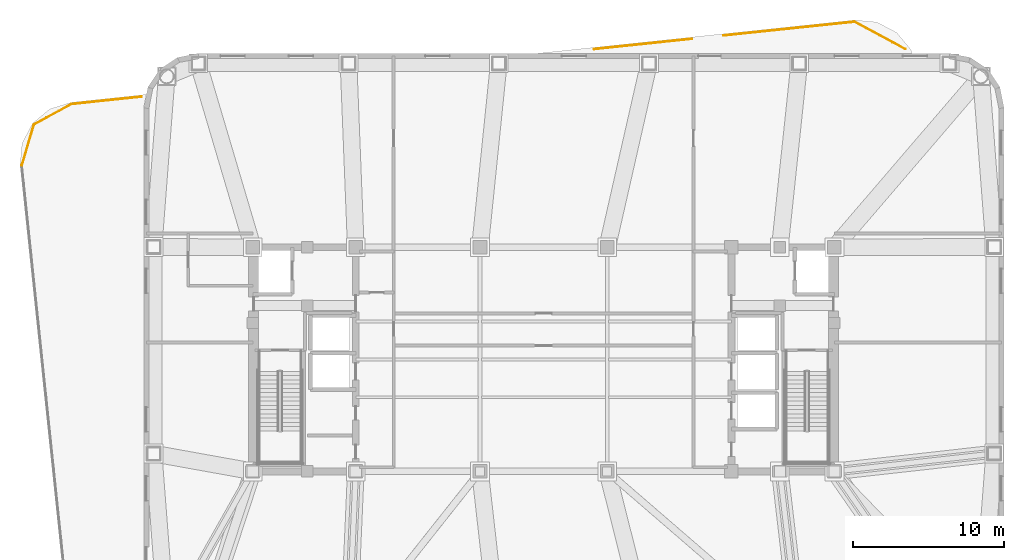
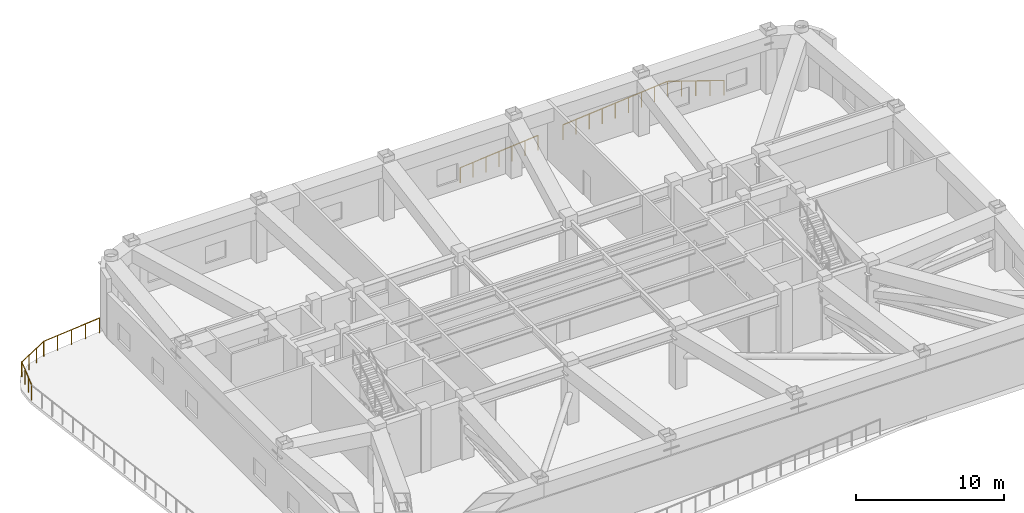
# One storey, part 10 of 10: 6 railings.
"""IFC4 building model written with IfcOpenShell, lengths in metres."""

from ifc_helpers import new_model, si_unit, direction, frame, origin, origin_2d, place, context, subcontext, project, spatial, circle, extrude, material, type_object, element, save


model = new_model("IFC4")

# Units and contexts
model_context = context("Model", 3, precision=1e-05, world=origin(), true_north=direction((0.0, 1.0)))
body_context = subcontext(model_context, "Body", "Model", "MODEL_VIEW")
ifc_project = project(units=[si_unit("LENGTHUNIT", "METRE"), si_unit("AREAUNIT", "SQUARE_METRE"), si_unit("VOLUMEUNIT", "CUBIC_METRE"), si_unit("PLANEANGLEUNIT", "RADIAN"), si_unit("MASSUNIT", "GRAM", prefix="KILO")], contexts=[model_context])

# Site, building, storey
site_placement = place(None, origin())
site = spatial("IfcSite", under=ifc_project, at=site_placement, CompositionType="ELEMENT")
building_placement = place(site_placement, origin())
building = spatial("IfcBuilding", under=site, at=building_placement, Name="Voryun Gate Residences", CompositionType="ELEMENT")
storey_placement = place(building_placement, frame((0.0, 0.0, 195.0)))
storey = spatial("IfcBuildingStorey", under=building, at=storey_placement, Name="L48", CompositionType="ELEMENT", Elevation=195.0)

# Railings
ifc_material = material(Name="Anodised aluminium", Category="aluminium")
railing_type = type_object("IfcRailingType", Name="RAIL_TERRACE_GUARD_1250", PredefinedType="GUARDRAIL", material=ifc_material)
railing_1_placement = place(storey_placement, frame((20.52587890625, 22.285400390625, 0.0)))
element("IfcRailing", 1, at=railing_1_placement, inside=storey, type_object=railing_type, Name="Terrace guard RL-L48-P1L1-01", PredefinedType="GUARDRAIL", context=body_context, shape_type="SweptSolid", body=[
    extrude(circle(Radius=0.02392578125, at=origin_2d()), frame((0.0, 0.0, 1.22607421875), z_axis=(0.88076497206, -0.473553654819, 0.0), x_axis=(0.473553654819, 0.88076497206, 0.0)), (0.0, 0.0, 1.0), 3.8125),
    extrude(circle(Radius=0.02099609375, at=origin_2d()), origin(), (0.0, 0.0, 1.0), 1.201904296875),
    extrude(circle(Radius=0.02099609375, at=origin_2d()), frame((0.83935546875, -0.451416015625, 0.0)), (0.0, 0.0, 1.0), 1.201904296875),
    extrude(circle(Radius=0.02099609375, at=origin_2d()), frame((1.678955078125, -0.90283203125, 0.0)), (0.0, 0.0, 1.0), 1.201904296875),
    extrude(circle(Radius=0.02099609375, at=origin_2d()), frame((2.5185546875, -1.35400390625, 0.0)), (0.0, 0.0, 1.0), 1.201904296875),
    extrude(circle(Radius=0.02099609375, at=origin_2d()), frame((3.35791015625, -1.805419921875, 0.0)), (0.0, 0.0, 1.0), 1.201904296875),
])
railing_2_placement = place(storey_placement, frame((3.3486328125, 20.47998046875, 0.0)))
element("IfcRailing", 2, at=railing_2_placement, inside=storey, type_object=railing_type, Name="Terrace guard RL-L48-P1L2-01", PredefinedType="GUARDRAIL", context=body_context, shape_type="SweptSolid", body=[
    extrude(circle(Radius=0.02392578125, at=origin_2d()), frame((0.0, 0.0, 1.22607421875), z_axis=(0.994522382225, 0.104523831034, 0.0), x_axis=(-0.104523831034, 0.994522382225, 0.0)), (0.0, 0.0, 1.0), 6.474609375),
    extrude(circle(Radius=0.02099609375, at=origin_2d()), origin(), (0.0, 0.0, 1.0), 1.201904296875),
    extrude(circle(Radius=0.02099609375, at=origin_2d()), frame((1.0732421875, 0.11279296875, 0.0)), (0.0, 0.0, 1.0), 1.201904296875),
    extrude(circle(Radius=0.02099609375, at=origin_2d()), frame((2.146484375, 0.2255859375, 0.0)), (0.0, 0.0, 1.0), 1.201904296875),
    extrude(circle(Radius=0.02099609375, at=origin_2d()), frame((3.2197265625, 0.33837890625, 0.0)), (0.0, 0.0, 1.0), 1.201904296875),
    extrude(circle(Radius=0.02099609375, at=origin_2d()), frame((4.292724609375, 0.451171875, 0.0)), (0.0, 0.0, 1.0), 1.201904296875),
    extrude(circle(Radius=0.02099609375, at=origin_2d()), frame((5.365966796875, 0.56396484375, 0.0)), (0.0, 0.0, 1.0), 1.201904296875),
    extrude(circle(Radius=0.02099609375, at=origin_2d()), frame((6.439208984375, 0.6767578125, 0.0)), (0.0, 0.0, 1.0), 1.201904296875),
])
railing_3_placement = place(storey_placement, frame((11.87646484375, 21.376220703125, 0.0)))
element("IfcRailing", 3, at=railing_3_placement, inside=storey, type_object=railing_type, Name="Terrace guard RL-L48-P1L2-02", PredefinedType="GUARDRAIL", context=body_context, shape_type="SweptSolid", body=[
    extrude(circle(Radius=0.02392578125, at=origin_2d()), frame((0.0, 0.0, 1.22607421875), z_axis=(0.994520823887, 0.104538657225, 0.0), x_axis=(-0.104538657225, 0.994520823887, 0.0)), (0.0, 0.0, 1.0), 8.697021484375),
    extrude(circle(Radius=0.02099609375, at=origin_2d()), origin(), (0.0, 0.0, 1.0), 1.201904296875),
    extrude(circle(Radius=0.02099609375, at=origin_2d()), frame((1.0810546875, 0.11376953125, 0.0)), (0.0, 0.0, 1.0), 1.201904296875),
    extrude(circle(Radius=0.02099609375, at=origin_2d()), frame((2.162353515625, 0.227294921875, 0.0)), (0.0, 0.0, 1.0), 1.201904296875),
    extrude(circle(Radius=0.02099609375, at=origin_2d()), frame((3.24365234375, 0.3408203125, 0.0)), (0.0, 0.0, 1.0), 1.201904296875),
    extrude(circle(Radius=0.02099609375, at=origin_2d()), frame((4.32470703125, 0.45458984375, 0.0)), (0.0, 0.0, 1.0), 1.201904296875),
    extrude(circle(Radius=0.02099609375, at=origin_2d()), frame((5.40576171875, 0.568359375, 0.0)), (0.0, 0.0, 1.0), 1.201904296875),
    extrude(circle(Radius=0.02099609375, at=origin_2d()), frame((6.487060546875, 0.681884765625, 0.0)), (0.0, 0.0, 1.0), 1.201904296875),
    extrude(circle(Radius=0.02099609375, at=origin_2d()), frame((7.568359375, 0.79541015625, 0.0)), (0.0, 0.0, 1.0), 1.201904296875),
    extrude(circle(Radius=0.02099609375, at=origin_2d()), frame((8.6494140625, 0.9091796875, 0.0)), (0.0, 0.0, 1.0), 1.201904296875),
])
railing_4_placement = place(storey_placement, frame((-34.451416015625, 12.794921875, 0.0)))
element("IfcRailing", 4, at=railing_4_placement, inside=storey, type_object=railing_type, Name="Terrace guard RL-L48-P2L1-04", PredefinedType="GUARDRAIL", context=body_context, shape_type="SweptSolid", body=[
    extrude(circle(Radius=0.02392578125, at=origin_2d()), frame((0.0, 0.0, 1.22607421875), z_axis=(0.283232391323, 0.959051308589, 0.0), x_axis=(-0.959051308589, 0.283232391323, 0.0)), (0.0, 0.0, 1.0), 2.826416015625),
    extrude(circle(Radius=0.02099609375, at=origin_2d()), origin(), (0.0, 0.0, 1.0), 1.201904296875),
    extrude(circle(Radius=0.02099609375, at=origin_2d()), frame((0.266845703125, 0.903564453125, 0.0)), (0.0, 0.0, 1.0), 1.201904296875),
    extrude(circle(Radius=0.02099609375, at=origin_2d()), frame((0.53369140625, 1.80712890625, 0.0)), (0.0, 0.0, 1.0), 1.201904296875),
    extrude(circle(Radius=0.02099609375, at=origin_2d()), frame((0.800537109375, 2.710693359375, 0.0)), (0.0, 0.0, 1.0), 1.201904296875),
])
railing_5_placement = place(storey_placement, frame((-33.65087890625, 15.505615234375, 0.0)))
element("IfcRailing", 5, at=railing_5_placement, inside=storey, type_object=railing_type, Name="Terrace guard RL-L48-P2L1-05", PredefinedType="GUARDRAIL", context=body_context, shape_type="SweptSolid", body=[
    extrude(circle(Radius=0.02392578125, at=origin_2d()), frame((0.0, 0.0, 1.22607421875), z_axis=(0.879206041488, 0.476441745245, 0.0), x_axis=(-0.476441745245, 0.879206041488, 0.0)), (0.0, 0.0, 1.0), 2.826416015625),
    extrude(circle(Radius=0.02099609375, at=origin_2d()), origin(), (0.0, 0.0, 1.0), 1.201904296875),
    extrude(circle(Radius=0.02099609375, at=origin_2d()), frame((0.828369140625, 0.448974609375, 0.0)), (0.0, 0.0, 1.0), 1.201904296875),
    extrude(circle(Radius=0.02099609375, at=origin_2d()), frame((1.65673828125, 0.897705078125, 0.0)), (0.0, 0.0, 1.0), 1.201904296875),
    extrude(circle(Radius=0.02099609375, at=origin_2d()), frame((2.485107421875, 1.3466796875, 0.0)), (0.0, 0.0, 1.0), 1.201904296875),
])
railing_6_placement = place(storey_placement, frame((-31.165771484375, 16.852294921875, 0.0)))
element("IfcRailing", 6, at=railing_6_placement, inside=storey, type_object=railing_type, Name="Terrace guard RL-L48-P2L1-06", PredefinedType="GUARDRAIL", context=body_context, shape_type="SweptSolid", body=[
    extrude(circle(Radius=0.02392578125, at=origin_2d()), frame((0.0, 0.0, 1.22607421875), z_axis=(0.994522116676, 0.104526357644, 0.0), x_axis=(-0.104526357644, 0.994522116676, 0.0)), (0.0, 0.0, 1.0), 4.652587890625),
    extrude(circle(Radius=0.02099609375, at=origin_2d()), origin(), (0.0, 0.0, 1.0), 1.201904296875),
    extrude(circle(Radius=0.02099609375, at=origin_2d()), frame((1.15673828125, 0.12158203125, 0.0)), (0.0, 0.0, 1.0), 1.201904296875),
    extrude(circle(Radius=0.02099609375, at=origin_2d()), frame((2.3134765625, 0.2431640625, 0.0)), (0.0, 0.0, 1.0), 1.201904296875),
    extrude(circle(Radius=0.02099609375, at=origin_2d()), frame((3.470458984375, 0.36474609375, 0.0)), (0.0, 0.0, 1.0), 1.201904296875),
    extrude(circle(Radius=0.02099609375, at=origin_2d()), frame((4.627197265625, 0.486328125, 0.0)), (0.0, 0.0, 1.0), 1.201904296875),
])

save(model, "model.ifc")
